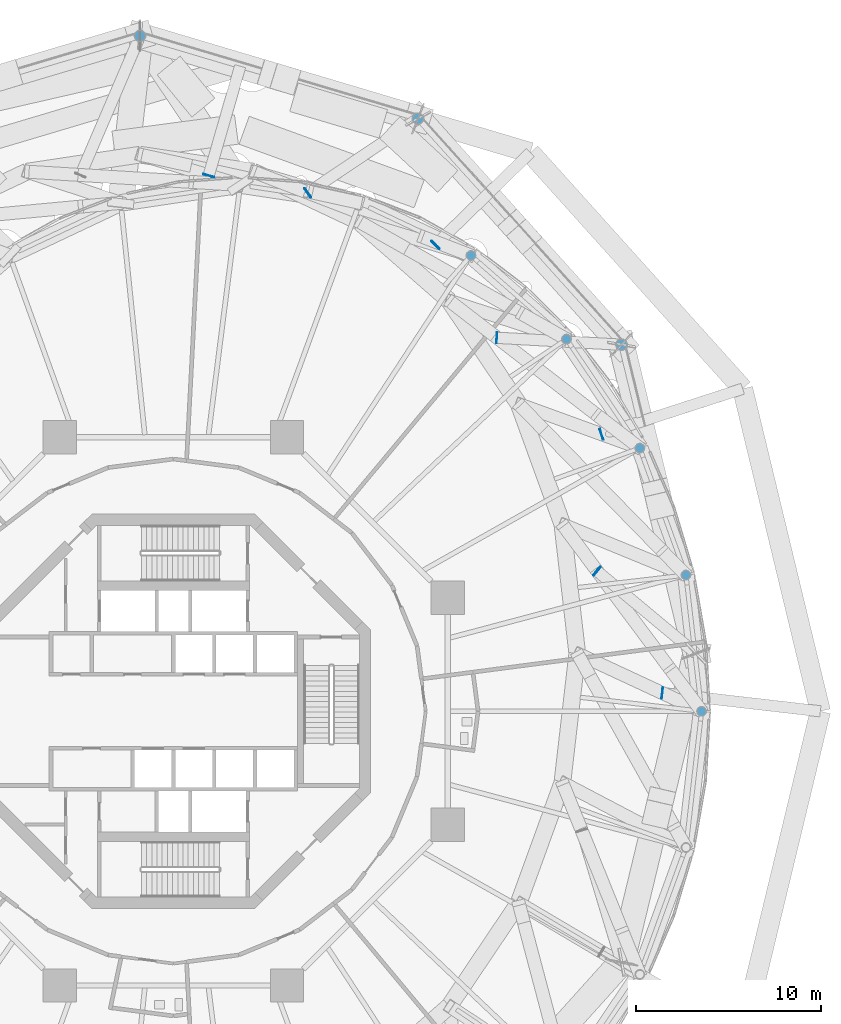
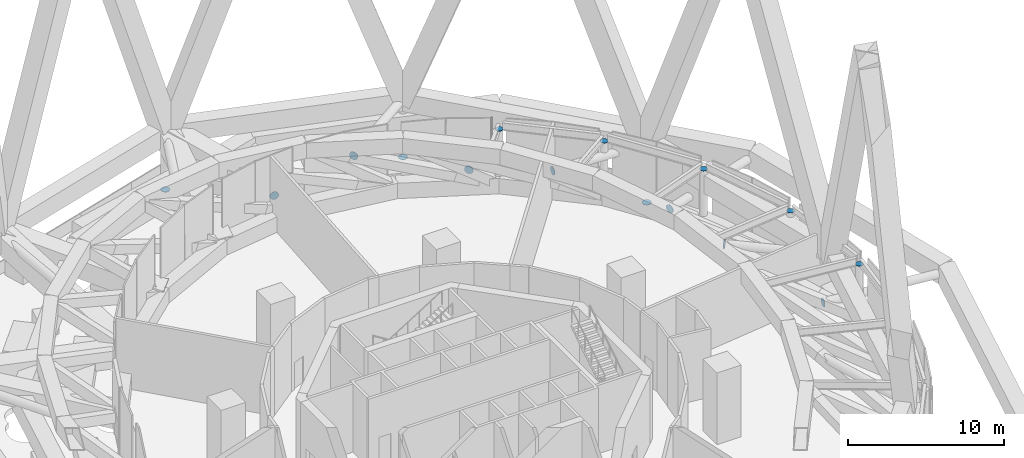
# One storey, part 57 of 60: 15 discrete accessories.
"""IFC4 building model written with IfcOpenShell, lengths in metres."""

from ifc_helpers import new_model, si_unit, direction, frame, origin, origin_2d, place, context, subcontext, project, spatial, circle, extrude, material, layer, layer_set, type_object, element, save


model = new_model("IFC4")

# Units and contexts
model_context = context("Model", 3, precision=1e-05, world=origin(), true_north=direction((0.0, 1.0)))
body_context = subcontext(model_context, "Body", "Model", "MODEL_VIEW")
ifc_project = project(units=[si_unit("LENGTHUNIT", "METRE"), si_unit("AREAUNIT", "SQUARE_METRE"), si_unit("VOLUMEUNIT", "CUBIC_METRE"), si_unit("PLANEANGLEUNIT", "RADIAN"), si_unit("MASSUNIT", "GRAM", prefix="KILO")], contexts=[model_context])

# Site, building, storey
site_placement = place(None, origin())
site = spatial("IfcSite", under=ifc_project, at=site_placement, CompositionType="ELEMENT")
building_placement = place(site_placement, origin())
building = spatial("IfcBuilding", under=site, at=building_placement, Name="Nagisa Residences", CompositionType="ELEMENT")
storey_placement = place(building_placement, frame((0.0, 0.0, 206.60009765625)))
storey = spatial("IfcBuildingStorey", under=building, at=storey_placement, Name="L52", CompositionType="ELEMENT", Elevation=206.60009765625)

# Discrete accessories
ifc_material_1 = material(Name="Steel ASTM A572 Gr 50", Category="steel")
ifc_layer_1 = layer(ifc_material_1, 0.030029296875)
ifc_layer_set_1 = layer_set([ifc_layer_1], Name="End plate")
discrete_accessory_type_1 = type_object("IfcDiscreteAccessoryType", Name="End plate", PredefinedType="ANCHORPLATE", material=ifc_layer_set_1)
for number, where, z_axis, x_axis, name in (
    (1, (24.15478515625, 19.7626953125, -0.89013671875), (0.0, 0.0, -1.0), (1.0, 0.0, 0.0), "End plate DH401"),
    (2, (13.18505859375, 31.94775390625, -0.89013671875), (0.0, 0.0, -1.0), (1.0, 0.0, 0.0), "End plate DH402"),
    (3, (-1.800048828125, 36.40771484375, -0.89013671875), (0.0, 0.0, -1.0), (1.0, 0.0, 0.0), "End plate DH403"),
):
    element("IfcDiscreteAccessory", number, at=place(storey_placement, frame(where, z_axis=z_axis, x_axis=x_axis)), inside=storey, type_object=discrete_accessory_type_1, Name=name, PredefinedType="ANCHORPLATE", context=body_context, shape_type="SweptSolid", body=[
        extrude(circle(Radius=0.304931640625, at=origin_2d()), origin(), (0.0, 0.0, 1.0), 0.030029296875),
    ])
for number, where, z_axis, x_axis, name in (
    (4, (28.47509765625, 0.0, 4.73681640625), (0.0, 0.0, 1.0), (1.0, 0.0, 0.0), "End plate GP401"),
    (5, (27.62744140625, 7.343994140625, 4.73681640625), (0.0, 0.0, 1.0), (1.0, 0.0, 0.0), "End plate GP402"),
    (6, (25.142333984375, 14.1875, 4.73681640625), (0.0, 0.0, 1.0), (1.0, 0.0, 0.0), "End plate GP403"),
    (7, (21.189208984375, 20.064208984375, 4.73681640625), (0.0, 0.0, 1.0), (1.0, 0.0, 0.0), "End plate GP404"),
    (8, (16.03759765625, 24.573486328125, 4.73681640625), (0.0, 0.0, 1.0), (1.0, 0.0, 0.0), "End plate GP405"),
):
    element("IfcDiscreteAccessory", number, at=place(storey_placement, frame(where, z_axis=z_axis, x_axis=x_axis)), inside=storey, type_object=discrete_accessory_type_1, Name=name, PredefinedType="ANCHORPLATE", context=body_context, shape_type="SweptSolid", body=[
        extrude(circle(Radius=0.25390625, at=origin_2d()), origin(), (0.0, 0.0, 1.0), 0.030029296875),
    ])
ifc_material_2 = material(Name="Steel ASTM A572 Gr 50", Category="steel")
ifc_layer_2 = layer(ifc_material_2, 0.030029296875)
ifc_layer_set_2 = layer_set([ifc_layer_2], Name="Node plate")
discrete_accessory_type_2 = type_object("IfcDiscreteAccessoryType", Name="Node plate", PredefinedType="ANCHORPLATE", material=ifc_layer_set_2)
for number, where, z_axis, x_axis, name in (
    (9, (26.36962890625, 0.97900390625, 1.89990234375), (-0.993480071526, 0.114005909847, 0.0), (-0.114005909847, -0.993480071526, 0.0), "Node plate ST4A01"),
    (10, (23.091796875, 14.933349609375, 1.89990234375), (-0.951093789288, -0.30890225635, 0.0), (0.30890225635, -0.951093789288, 0.0), "Node plate ST4A02"),
    (11, (14.136962890625, 25.148681640625, 1.89990234375), (-0.715187202401, -0.698932947801, 0.0), (0.698932947801, -0.715187202401, 0.0), "Node plate ST4A03"),
    (12, (1.904296875, 28.8876953125, 1.89990234375), (-0.276871495343, -0.960906954427, 0.0), (0.960906954427, -0.276871495343, 0.0), "Node plate ST4A04"),
    (13, (22.85302734375, 7.5458984375, 3.699951171875), (-0.77286874502, 0.634565916964, 0.0), (-0.634565916964, -0.77286874502, 0.0), "Node plate ST5B01"),
    (14, (17.447998046875, 20.13623046875, 3.699951171875), (-0.998812351125, 0.048722553713, 0.0), (-0.048722553713, -0.998812351125, 0.0), "Node plate ST5B02"),
    (15, (7.248779296875, 27.95654296875, 3.699951171875), (-0.828283413128, -0.560309367704, 0.0), (0.560309367704, -0.828283413128, 0.0), "Node plate ST5B03"),
):
    element("IfcDiscreteAccessory", number, at=place(storey_placement, frame(where, z_axis=z_axis, x_axis=x_axis)), inside=storey, type_object=discrete_accessory_type_2, Name=name, PredefinedType="ANCHORPLATE", context=body_context, shape_type="SweptSolid", body=[
        extrude(circle(Radius=0.304931640625, at=origin_2d()), origin(), (0.0, 0.0, 1.0), 0.030029296875),
    ])

save(model, "model.ifc")
